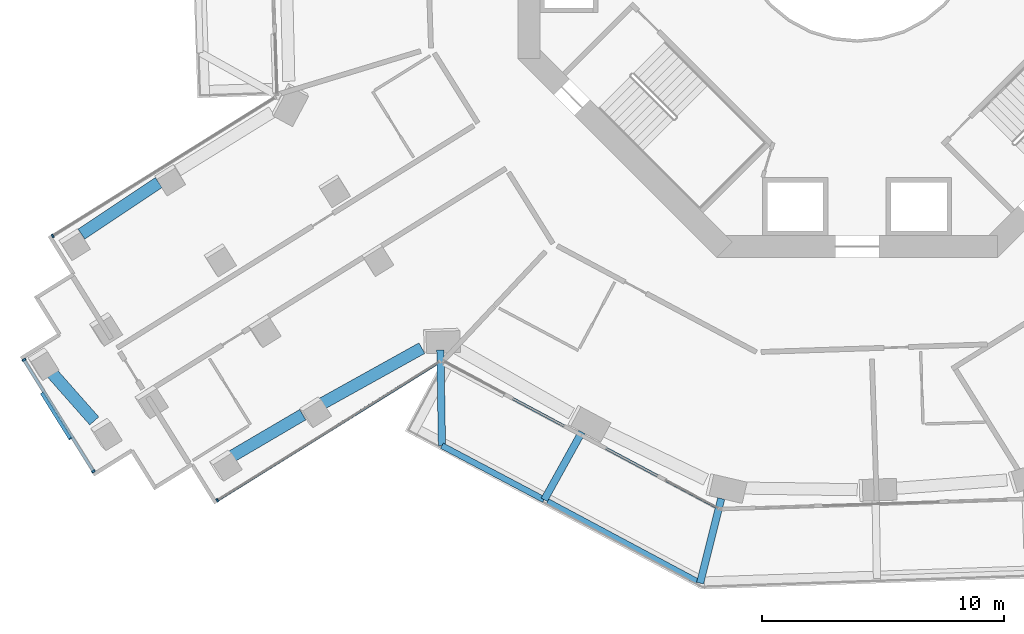
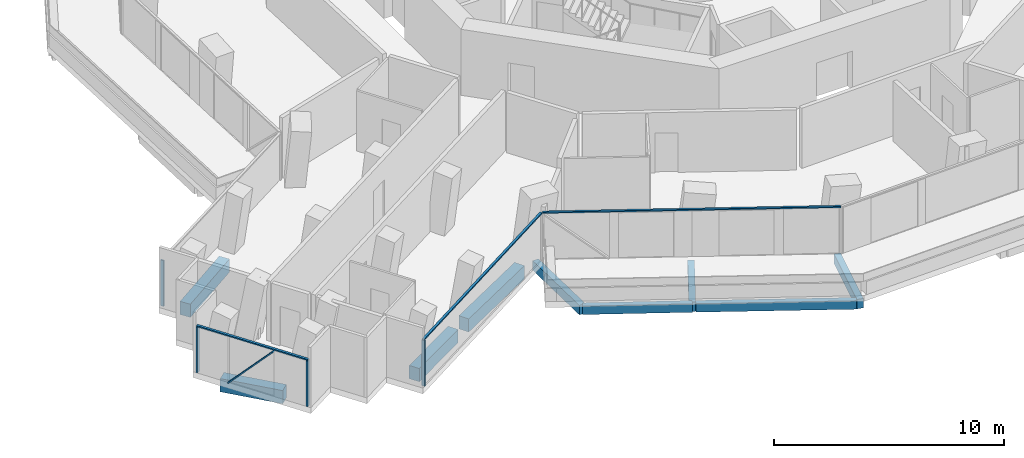
# One storey, part 2 of 27: 9 beams, 8 members, 4 elements without a shape of their own.
"""IFC4 building model written with IfcOpenShell, lengths in metres."""

from ifc_helpers import new_model, si_unit, direction, frame, origin, origin_2d, place, context, subcontext, project, spatial, rectangle, extrude, material, layer, layer_set, material_profile, profile_set, type_object, element, aggregate, save


model = new_model("IFC4")

# Units and contexts
model_context = context("Model", 3, precision=1e-05, world=origin(), true_north=direction((0.0, 1.0)))
body_context = subcontext(model_context, "Body", "Model", "MODEL_VIEW")
ifc_project = project(units=[si_unit("LENGTHUNIT", "METRE"), si_unit("AREAUNIT", "SQUARE_METRE"), si_unit("VOLUMEUNIT", "CUBIC_METRE"), si_unit("PLANEANGLEUNIT", "RADIAN"), si_unit("MASSUNIT", "GRAM", prefix="KILO")], contexts=[model_context])

# Site, building, storey
site_placement = place(None, origin())
site = spatial("IfcSite", under=ifc_project, at=site_placement, CompositionType="ELEMENT")
building_placement = place(site_placement, origin())
building = spatial("IfcBuilding", under=site, at=building_placement, Name="Verdalira Terraces Hotel", CompositionType="ELEMENT")
storey_placement = place(building_placement, frame((0.0, 0.0, 42.5)))
storey = spatial("IfcBuildingStorey", under=building, at=storey_placement, Name="L08", CompositionType="ELEMENT", Elevation=42.5)

# Beams
ifc_material_1 = material(Name="Concrete C40", Category="concrete")
ifc_material_profile_1 = material_profile(ifc_material_1, rectangle(XDim=0.300049, YDim=0.5, at=origin_2d()), Name="RC 300X500")
ifc_profile_set_1 = profile_set([ifc_material_profile_1], Name="Concrete C40")
beam_type_1 = type_object("IfcBeamType", Name="Balcony cantilever beam RC 300X500 C40", PredefinedType="BEAM", material=ifc_profile_set_1)
beam_1_placement = place(storey_placement, frame((-17.203125, -17.821289, -0.560059), z_axis=(0.016749829, -0.999859712, 0.0), x_axis=(0.999859712, 0.016749829, 0.0)))
element("IfcBeam", 1, at=beam_1_placement, inside=storey, type_object=beam_type_1, Name="Balcony cantilever beam R25-3", PredefinedType="BEAM", context=body_context, shape_type="SweptSolid", body=[
    extrude(rectangle(XDim=0.300049, YDim=0.5, at=origin_2d()), origin(), (0.0, 0.0, 1.0), 3.949951),
])
beam_2_placement = place(storey_placement, frame((-11.361816, -21.206055, -0.560059), z_axis=(-0.485422722, -0.874279578, 0.0), x_axis=(0.874279578, -0.485422722, 0.0)))
element("IfcBeam", 2, at=beam_2_placement, inside=storey, type_object=beam_type_1, Name="Balcony cantilever beam R25-4", PredefinedType="BEAM", context=body_context, shape_type="SweptSolid", body=[
    extrude(rectangle(XDim=0.300049, YDim=0.5, at=origin_2d()), origin(), (0.0, 0.0, 1.0), 3.200684),
])
beam_3_placement = place(storey_placement, frame((-5.609619, -23.952881, -0.560059), z_axis=(-0.242663357, -0.970110558, 0.0), x_axis=(0.970110558, -0.242663357, 0.0)))
element("IfcBeam", 3, at=beam_3_placement, inside=storey, type_object=beam_type_1, Name="Balcony cantilever beam R25-5", PredefinedType="BEAM", context=body_context, shape_type="SweptSolid", body=[
    extrude(rectangle(XDim=0.300049, YDim=0.5, at=origin_2d()), origin(), (0.0, 0.0, 1.0), 3.597656),
])
ifc_material_2 = material(Name="Concrete C40", Category="concrete")
ifc_material_profile_2 = material_profile(ifc_material_2, rectangle(XDim=0.25, YDim=0.449951, at=origin_2d()), Name="RC 250X450")
ifc_profile_set_2 = profile_set([ifc_material_profile_2], Name="Concrete C40")
beam_type_2 = type_object("IfcBeamType", Name="Balcony edge beam RC 250X450 C40", PredefinedType="BEAM", material=ifc_profile_set_2)
beam_4_placement = place(storey_placement, frame((-17.136963, -21.770752, -0.534912), z_axis=(0.883894828, -0.46768572, 0.0), x_axis=(0.46768572, 0.883894828, 0.0)))
element("IfcBeam", 4, at=beam_4_placement, inside=storey, type_object=beam_type_2, Name="Balcony edge beam R25-2", PredefinedType="BEAM", context=body_context, shape_type="SweptSolid", body=[
    extrude(rectangle(XDim=0.25, YDim=0.449951, at=origin_2d()), origin(), (0.0, 0.0, 1.0), 4.775879),
])
beam_5_placement = place(storey_placement, frame((-12.783203, -24.075195, -0.534912), z_axis=(0.881904879, -0.47142739, 0.0), x_axis=(0.47142739, 0.881904879, 0.0)))
element("IfcBeam", 5, at=beam_5_placement, inside=storey, type_object=beam_type_2, Name="Balcony edge beam R25-3", PredefinedType="BEAM", context=body_context, shape_type="SweptSolid", body=[
    extrude(rectangle(XDim=0.25, YDim=0.449951, at=origin_2d()), origin(), (0.0, 0.0, 1.0), 6.989746),
])

# Curtain wall, member
ifc_material_3 = material(Name="Clear glass", Category="glass")
ifc_layer_1 = layer(ifc_material_3, 0.14990234375)
ifc_layer_set_1 = layer_set([ifc_layer_1], Name="CW1 curtain wall")
curtain_wall_type_1 = type_object("IfcCurtainWallType", Name="CW1 curtain wall", PredefinedType="NOTDEFINED", material=ifc_layer_set_1)
curtain_wall_1_placement = place(storey_placement, origin())
curtain_wall_1 = element("IfcCurtainWall", 6, at=curtain_wall_1_placement, inside=storey, type_object=curtain_wall_type_1, Name="CW1 curtain wall L08 edge 25", PredefinedType="NOTDEFINED")
ifc_material_4 = material(Name="Terracotta frame", Category="masonry")
ifc_material_profile_3 = material_profile(ifc_material_4, rectangle(XDim=0.110107, YDim=0.064941, at=origin_2d()), Name="TR 65x110")
ifc_profile_set_3 = profile_set([ifc_material_profile_3], Name="Terracotta frame")
member_type_1 = type_object("IfcMemberType", Name="CW1 transom 65x110", PredefinedType="USERDEFINED", material=ifc_profile_set_3)
member_1_placement = place(storey_placement, frame((-17.118164, -18.2771, 2.45752), z_axis=(0.882287749, -0.470710451, 0.0), x_axis=(0.470710451, 0.882287749, 0.0)))
member_1 = element("IfcMember", 7, at=member_1_placement, type_object=member_type_1, Name="CW1 transom", ObjectType="TRANSOM", PredefinedType="USERDEFINED", context=body_context, shape_type="SweptSolid", body=[
    extrude(rectangle(XDim=0.110107, YDim=0.064941, at=origin_2d()), origin(), (0.0, 0.0, 1.0), 12.959961),
])
aggregate(curtain_wall_1, [member_1])

ifc_material_5 = material(Name="Clear glass", Category="glass")
ifc_layer_2 = layer(ifc_material_5, 0.14990234375)
ifc_layer_set_2 = layer_set([ifc_layer_2], Name="CW2 curtain wall")
curtain_wall_type_2 = type_object("IfcCurtainWallType", Name="CW2 curtain wall", PredefinedType="NOTDEFINED", material=ifc_layer_set_2)
curtain_wall_2_placement = place(storey_placement, origin())
curtain_wall_2 = element("IfcCurtainWall", 8, at=curtain_wall_2_placement, inside=storey, type_object=curtain_wall_type_2, Name="CW2 curtain wall L08 edge 14", PredefinedType="NOTDEFINED")
ifc_material_6 = material(Name="Terracotta frame", Category="masonry")
ifc_material_profile_4 = material_profile(ifc_material_6, rectangle(XDim=0.070068, YDim=0.149902, at=origin_2d()), Name="MU 70x150")
ifc_profile_set_4 = profile_set([ifc_material_profile_4], Name="Terracotta frame")
member_type_2 = type_object("IfcMemberType", Name="CW2 mullion 70x150", PredefinedType="MULLION", material=ifc_profile_set_4)
member_2_placement = place(storey_placement, frame((-33.203369, -13.11377, 0.0), z_axis=(0.0, 0.0, 1.0), x_axis=(-0.848787176, -0.52873465, 0.0)))
member_2 = element("IfcMember", 9, at=member_2_placement, type_object=member_type_2, Name="CW2 mullion", PredefinedType="MULLION", context=body_context, shape_type="SweptSolid", body=[
    extrude(rectangle(XDim=0.070068, YDim=0.149902, at=origin_2d()), origin(), (0.0, 0.0, 1.0), 2.425049),
])
aggregate(curtain_wall_2, [member_2])

# Curtain wall, members
curtain_wall_3_placement = place(storey_placement, origin())
curtain_wall_3 = element("IfcCurtainWall", 10, at=curtain_wall_3_placement, inside=storey, type_object=curtain_wall_type_2, Name="CW2 curtain wall L08 edge 24", PredefinedType="NOTDEFINED")
member_3_placement = place(storey_placement, frame((-26.40918, -24.020752, 0.0), z_axis=(0.0, 0.0, 1.0), x_axis=(0.848787176, 0.52873465, 0.0)))
member_3 = element("IfcMember", 11, at=member_3_placement, type_object=member_type_2, Name="CW2 mullion", PredefinedType="MULLION", context=body_context, shape_type="SweptSolid", body=[
    extrude(rectangle(XDim=0.070068, YDim=0.149902, at=origin_2d()), origin(), (0.0, 0.0, 1.0), 2.425049),
])
ifc_material_7 = material(Name="Terracotta frame", Category="masonry")
ifc_material_profile_5 = material_profile(ifc_material_7, rectangle(XDim=0.11499, YDim=0.064941, at=origin_2d()), Name="TR 65x115")
ifc_profile_set_5 = profile_set([ifc_material_profile_5], Name="Terracotta frame")
member_type_3 = type_object("IfcMemberType", Name="CW2 transom 65x115", PredefinedType="USERDEFINED", material=ifc_profile_set_5)
member_4_placement = place(storey_placement, frame((-26.438721, -24.039062, 2.45752), z_axis=(0.848790633, 0.5287291, 0.0), x_axis=(-0.5287291, 0.848790633, 0.0)))
member_4 = element("IfcMember", 12, at=member_4_placement, type_object=member_type_3, Name="CW2 transom", ObjectType="TRANSOM", PredefinedType="USERDEFINED", context=body_context, shape_type="SweptSolid", body=[
    extrude(rectangle(XDim=0.11499, YDim=0.064941, at=origin_2d()), origin(), (0.0, 0.0, 1.0), 10.892578),
])
aggregate(curtain_wall_3, [member_3, member_4])

ifc_material_8 = material(Name="Clear glass", Category="glass")
ifc_layer_3 = layer(ifc_material_8, 0.14990234375)
ifc_layer_set_3 = layer_set([ifc_layer_3], Name="CW3 curtain wall")
curtain_wall_type_3 = type_object("IfcCurtainWallType", Name="CW3 curtain wall", PredefinedType="NOTDEFINED", material=ifc_layer_set_3)
curtain_wall_4_placement = place(storey_placement, origin())
curtain_wall_4 = element("IfcCurtainWall", 13, at=curtain_wall_4_placement, inside=storey, type_object=curtain_wall_type_3, Name="CW3 curtain wall L08 edge 19", PredefinedType="NOTDEFINED")
ifc_material_9 = material(Name="Terracotta frame", Category="masonry")
ifc_material_profile_6 = material_profile(ifc_material_9, rectangle(XDim=0.080078, YDim=0.149902, at=origin_2d()), Name="MU 80x150")
ifc_profile_set_6 = profile_set([ifc_material_profile_6], Name="Terracotta frame")
member_type_4 = type_object("IfcMemberType", Name="CW3 mullion 80x150", PredefinedType="MULLION", material=ifc_profile_set_6)
member_5_placement = place(storey_placement, frame((-34.388184, -18.228516, 0.0), z_axis=(0.0, 0.0, 1.0), x_axis=(0.52873465, -0.848787176, 0.0)))
member_5 = element("IfcMember", 14, at=member_5_placement, type_object=member_type_4, Name="CW3 mullion", PredefinedType="MULLION", context=body_context, shape_type="SweptSolid", body=[
    extrude(rectangle(XDim=0.080078, YDim=0.149902, at=origin_2d()), origin(), (0.0, 0.0, 1.0), 2.425049),
])
member_6_placement = place(storey_placement, frame((-31.522461, -22.829102, 0.0), z_axis=(0.0, 0.0, 1.0), x_axis=(0.52873465, -0.848787176, 0.0)))
member_6 = element("IfcMember", 15, at=member_6_placement, type_object=member_type_4, Name="CW3 mullion", PredefinedType="MULLION", context=body_context, shape_type="SweptSolid", body=[
    extrude(rectangle(XDim=0.080078, YDim=0.149902, at=origin_2d()), origin(), (0.0, 0.0, 1.0), 2.425049),
])
ifc_material_10 = material(Name="Terracotta frame", Category="masonry")
ifc_material_profile_7 = material_profile(ifc_material_10, rectangle(XDim=0.120117, YDim=0.064941, at=origin_2d()), Name="TR 65x120")
ifc_profile_set_7 = profile_set([ifc_material_profile_7], Name="Terracotta frame")
member_type_5 = type_object("IfcMemberType", Name="CW3 transom 65x120", PredefinedType="USERDEFINED", material=ifc_profile_set_7)
member_7_placement = place(storey_placement, frame((-34.40918, -18.19458, 2.45752), z_axis=(0.528713554, -0.848800317, 0.0), x_axis=(0.848800317, 0.528713554, 0.0)))
member_7 = element("IfcMember", 16, at=member_7_placement, type_object=member_type_5, Name="CW3 transom", ObjectType="TRANSOM", PredefinedType="USERDEFINED", context=body_context, shape_type="SweptSolid", body=[
    extrude(rectangle(XDim=0.120117, YDim=0.064941, at=origin_2d()), origin(), (0.0, 0.0, 1.0), 5.5),
])
ifc_material_11 = material(Name="Terracotta frame", Category="masonry")
ifc_material_profile_8 = material_profile(ifc_material_11, rectangle(XDim=0.149902, YDim=0.060059, at=origin_2d()), Name="GB 60x150")
ifc_profile_set_8 = profile_set([ifc_material_profile_8], Name="Terracotta frame")
member_type_6 = type_object("IfcMemberType", Name="Diagonal glazing bar 60x150", PredefinedType="USERDEFINED", material=ifc_profile_set_8)
member_8_placement = place(storey_placement, frame((-33.63916, -19.606934, 0.025146), z_axis=(0.360281111, -0.578345994, 0.731924471), x_axis=(0.84877909, 0.52874763, 0.0)))
member_8 = element("IfcMember", 17, at=member_8_placement, type_object=member_type_6, Name="Diagonal glazing bar", ObjectType="GLAZING BAR", PredefinedType="USERDEFINED", context=body_context, shape_type="SweptSolid", body=[
    extrude(rectangle(XDim=0.149902, YDim=0.060059, at=origin_2d()), origin(), (0.0, 0.0, 1.0), 3.244629),
])
aggregate(curtain_wall_4, [member_5, member_6, member_7, member_8])

# Beams
ifc_material_12 = material(Name="Concrete C70", Category="concrete")
ifc_material_profile_9 = material_profile(ifc_material_12, rectangle(XDim=0.5, YDim=0.699951, at=origin_2d()), Name="RC 500X700")
ifc_profile_set_9 = profile_set([ifc_material_profile_9], Name="Concrete C70")
beam_type_3 = type_object("IfcBeamType", Name="Spandrel beam RC 500X700 C70", PredefinedType="SPANDREL", material=ifc_profile_set_9)
beam_6_placement = place(storey_placement, frame((-28.825195, -10.910889, -0.659912), z_axis=(-0.832334265, -0.554274004, 0.0), x_axis=(0.554274004, -0.832334265, 0.0)))
element("IfcBeam", 18, at=beam_6_placement, inside=storey, type_object=beam_type_3, Name="Spandrel beam B15", PredefinedType="SPANDREL", context=body_context, shape_type="SweptSolid", body=[
    extrude(rectangle(XDim=0.5, YDim=0.699951, at=origin_2d()), origin(), (0.0, 0.0, 1.0), 3.834229),
])
beam_7_placement = place(storey_placement, frame((-33.384277, -18.601562, -0.659912), z_axis=(0.662494822, -0.749066493, 0.0), x_axis=(0.749066493, 0.662494822, 0.0)))
element("IfcBeam", 19, at=beam_7_placement, inside=storey, type_object=beam_type_3, Name="Spandrel beam B16", PredefinedType="SPANDREL", context=body_context, shape_type="SweptSolid", body=[
    extrude(rectangle(XDim=0.5, YDim=0.699951, at=origin_2d()), origin(), (0.0, 0.0, 1.0), 2.865234),
])
beam_8_placement = place(storey_placement, frame((-25.833496, -22.223389, -0.659912), z_axis=(0.862370414, 0.506277857, 0.0), x_axis=(-0.506277857, 0.862370414, 0.0)))
element("IfcBeam", 20, at=beam_8_placement, inside=storey, type_object=beam_type_3, Name="Spandrel beam B17", PredefinedType="SPANDREL", context=body_context, shape_type="SweptSolid", body=[
    extrude(rectangle(XDim=0.5, YDim=0.699951, at=origin_2d()), origin(), (0.0, 0.0, 1.0), 3.421875),
])
beam_9_placement = place(storey_placement, frame((-22.086426, -20.036377, -0.659912), z_axis=(0.874035149, 0.485862695, 0.0), x_axis=(-0.485862695, 0.874035149, 0.0)))
element("IfcBeam", 21, at=beam_9_placement, inside=storey, type_object=beam_type_3, Name="Spandrel beam B18", PredefinedType="SPANDREL", context=body_context, shape_type="SweptSolid", body=[
    extrude(rectangle(XDim=0.5, YDim=0.699951, at=origin_2d()), origin(), (0.0, 0.0, 1.0), 4.71582),
])

save(model, "model.ifc")
